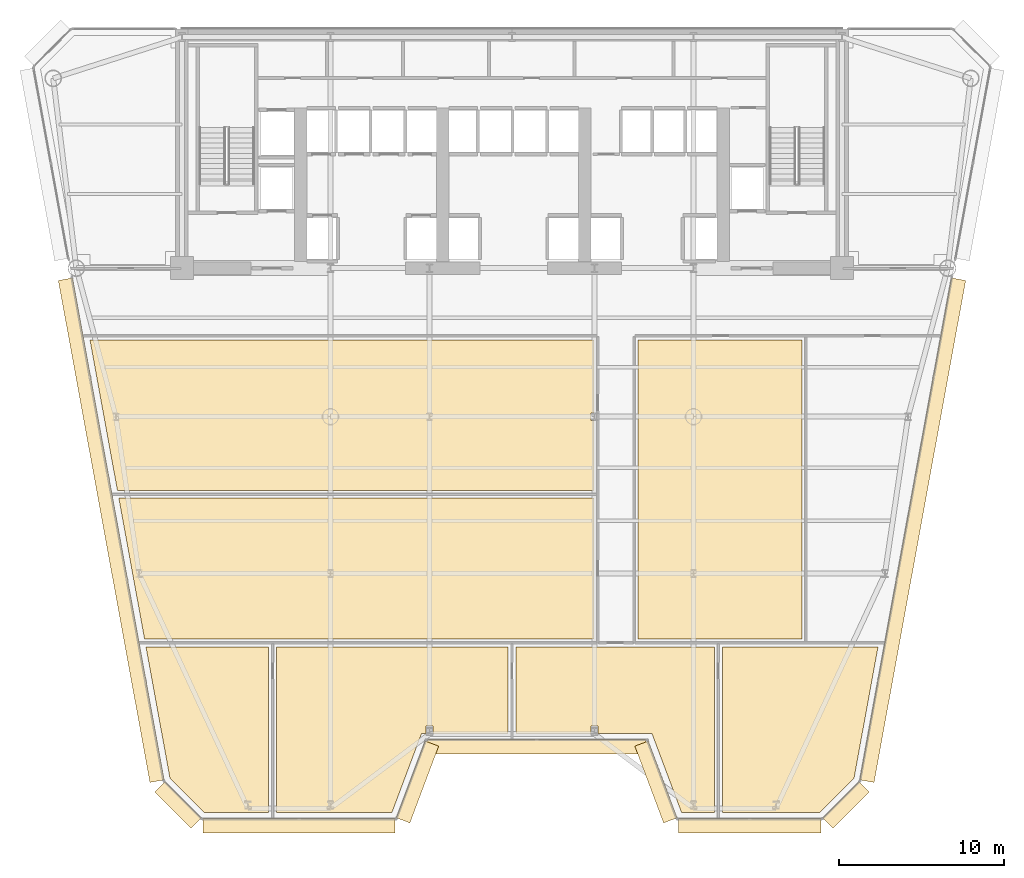
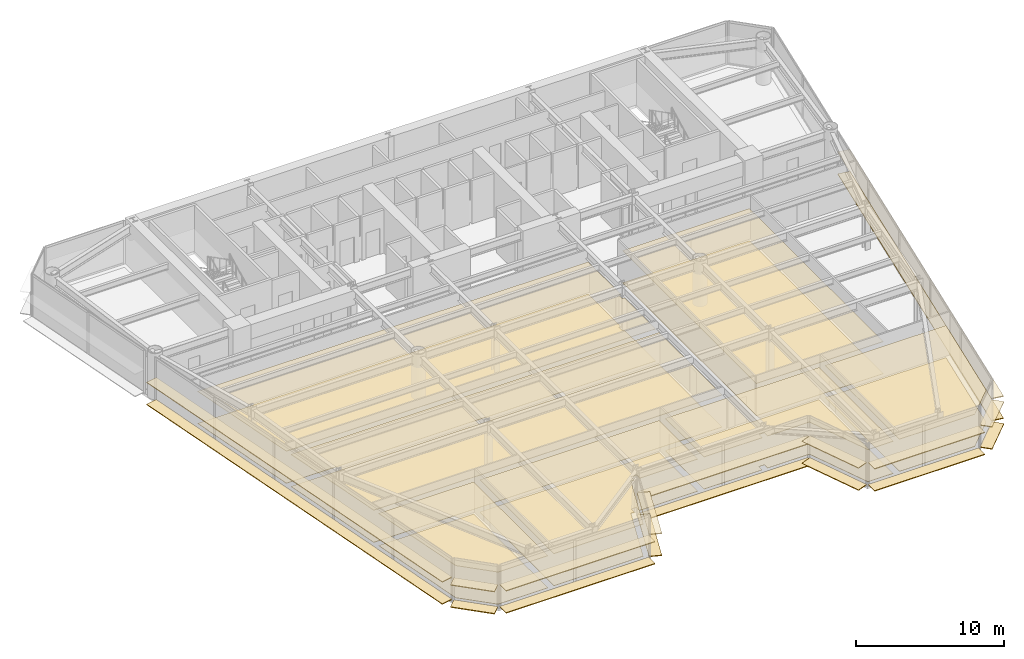
# One storey, part 12 of 15: 32 coverings.
"""IFC4 building model written with IfcOpenShell, lengths in metres."""

from ifc_helpers import new_model, si_unit, direction, frame, origin, origin_2d, place, context, subcontext, project, spatial, polyline, rectangle, outline, extrude, source, transform, mapped, material, layer, layer_set, type_object, element, save


model = new_model("IFC4")

# Units and contexts
model_context = context("Model", 3, precision=1e-05, world=origin(), true_north=direction((0.0, 1.0)))
body_context = subcontext(model_context, "Body", "Model", "MODEL_VIEW")
ifc_project = project(units=[si_unit("LENGTHUNIT", "METRE"), si_unit("AREAUNIT", "SQUARE_METRE"), si_unit("VOLUMEUNIT", "CUBIC_METRE"), si_unit("PLANEANGLEUNIT", "RADIAN"), si_unit("MASSUNIT", "GRAM", prefix="KILO")], contexts=[model_context])

# Site, building, storey
site_placement = place(None, origin())
site = spatial("IfcSite", under=ifc_project, at=site_placement, CompositionType="ELEMENT")
building_placement = place(site_placement, origin())
building = spatial("IfcBuilding", under=site, at=building_placement, Name="Vaeldorn Concourse Tower", CompositionType="ELEMENT")
storey_placement = place(building_placement, frame((0.0, 0.0, 95.800048828125)))
storey = spatial("IfcBuildingStorey", under=building, at=storey_placement, Name="L24", CompositionType="ELEMENT", Elevation=95.800048828125)

# Coverings
ifc_material_1 = material(Name="Acoustic Mineral Fibre Board", Category="gypsum")
ifc_layer_1 = layer(ifc_material_1, 0.0400390625)
ifc_layer_set_1 = layer_set([ifc_layer_1], Name="Acoustic Mineral Fibre Board")
covering_type_1 = type_object("IfcCoveringType", Name="COV-CEIL-ACOUSTIC", PredefinedType="CEILING", material=ifc_layer_set_1)
covering_1_placement = place(storey_placement, frame((0.0, 0.0, 2.64990234375)))
element("IfcCovering", 1, at=covering_1_placement, inside=storey, type_object=covering_type_1, Name="Suspended Acoustic Ceiling L24-6", PredefinedType="CEILING", context=body_context, shape_type="SweptSolid", body=[
    extrude(outline(polyline([(19.260009765625, 13.56005859375), (19.260009765625, 3.508056640625), (15.367919921875, 3.508056640625), (13.273193359375, 5.6025390625), (11.82080078125, 13.56005859375), (19.260009765625, 13.56005859375)])), origin(), (0.0, 0.0, 1.0), 0.0400390625),
])
covering_2_placement = place(storey_placement, frame((0.0, 0.0, 2.64990234375)))
element("IfcCovering", 2, at=covering_2_placement, inside=storey, type_object=covering_type_1, Name="Suspended Acoustic Ceiling L24-7", PredefinedType="CEILING", context=body_context, shape_type="SweptSolid", body=[
    extrude(outline(polyline([(26.722900390625, 3.508056640625), (19.739990234375, 3.508056640625), (19.739990234375, 13.56005859375), (33.760009765625, 13.56005859375), (33.760009765625, 8.30810546875), (29.2119140625, 8.30810546875), (29.2119140625, 8.7451171875), (28.7880859375, 8.7451171875), (28.7880859375, 8.30810546875), (28.522705078125, 8.30810546875), (26.722900390625, 3.508056640625)])), origin(), (0.0, 0.0, 1.0), 0.0400390625),
])
covering_3_placement = place(storey_placement, frame((0.0, 0.0, 2.64990234375)))
element("IfcCovering", 3, at=covering_3_placement, inside=storey, type_object=covering_type_1, Name="Suspended Acoustic Ceiling L24-8", PredefinedType="CEILING", context=body_context, shape_type="SweptSolid", body=[
    extrude(outline(polyline([(34.239990234375, 13.56005859375), (46.260009765625, 13.56005859375), (46.260009765625, 3.508056640625), (44.277099609375, 3.508056640625), (42.477294921875, 8.30810546875), (39.2119140625, 8.30810546875), (39.2119140625, 8.7451171875), (38.7880859375, 8.7451171875), (38.7880859375, 8.30810546875), (34.239990234375, 8.30810546875), (34.239990234375, 13.56005859375)])), origin(), (0.0, 0.0, 1.0), 0.0400390625),
])
covering_4_placement = place(storey_placement, frame((0.0, 0.0, 2.64990234375)))
element("IfcCovering", 4, at=covering_4_placement, inside=storey, type_object=covering_type_1, Name="Suspended Acoustic Ceiling L24-9", PredefinedType="CEILING", context=body_context, shape_type="SweptSolid", body=[
    extrude(outline(polyline([(52.632080078125, 3.508056640625), (46.739990234375, 3.508056640625), (46.739990234375, 13.56005859375), (56.17919921875, 13.56005859375), (54.726806640625, 5.6025390625), (52.632080078125, 3.508056640625)])), origin(), (0.0, 0.0, 1.0), 0.0400390625),
])
covering_5_placement = place(storey_placement, frame((0.0, 0.0, 2.64990234375)))
element("IfcCovering", 5, at=covering_5_placement, inside=storey, type_object=covering_type_1, Name="Suspended Acoustic Ceiling L24-10", PredefinedType="CEILING", context=body_context, shape_type="SweptSolid", body=[
    extrude(outline(polyline([(38.9599609375, 22.56005859375), (38.9599609375, 14.0400390625), (11.733154296875, 14.0400390625), (10.177978515625, 22.56005859375), (38.9599609375, 22.56005859375)])), origin(), (0.0, 0.0, 1.0), 0.0400390625),
])
covering_6_placement = place(storey_placement, frame((0.0, 0.0, 2.64990234375)))
element("IfcCovering", 6, at=covering_6_placement, inside=storey, type_object=covering_type_1, Name="Suspended Acoustic Ceiling L24-11", PredefinedType="CEILING", context=body_context, shape_type="SweptSolid", body=[
    extrude(outline(polyline([(38.9599609375, 32.159912109375), (38.9599609375, 27.737060546875), (38.7880859375, 27.737060546875), (38.7880859375, 27.262939453125), (38.9599609375, 27.262939453125), (38.9599609375, 23.0400390625), (10.09033203125, 23.0400390625), (8.42578125, 32.159912109375), (38.9599609375, 32.159912109375)])), origin(), (0.0, 0.0, 1.0), 0.0400390625),
])
covering_7_placement = place(storey_placement, frame((0.0, 0.0, 2.64990234375)))
element("IfcCovering", 7, at=covering_7_placement, inside=storey, type_object=covering_type_1, Name="Suspended Acoustic Ceiling L24-12", PredefinedType="CEILING", context=body_context, shape_type="SweptSolid", body=[
    extrude(outline(polyline([(41.639892578125, 32.159912109375), (51.56005859375, 32.159912109375), (51.56005859375, 14.0400390625), (41.639892578125, 14.0400390625), (41.639892578125, 32.159912109375)])), origin(), (0.0, 0.0, 1.0), 0.0400390625),
])
ifc_material_2 = material(Name="Honed Limestone Terrazzo Flooring", Category="masonry")
ifc_layer_2 = layer(ifc_material_2, 0.0400390625)
ifc_layer_set_2 = layer_set([ifc_layer_2], Name="Honed Limestone Terrazzo Flooring")
covering_type_2 = type_object("IfcCoveringType", Name="COV-FLOOR-STONE", PredefinedType="FLOORING", material=ifc_layer_set_2)
covering_8_placement = place(storey_placement, origin())
element("IfcCovering", 8, at=covering_8_placement, inside=storey, type_object=covering_type_2, Name="Floor Finish Covering L24-6", PredefinedType="FLOORING", context=body_context, shape_type="SweptSolid", body=[
    extrude(outline(polyline([(19.260009765625, 13.56005859375), (19.260009765625, 3.508056640625), (15.367919921875, 3.508056640625), (13.273193359375, 5.6025390625), (11.82080078125, 13.56005859375), (19.260009765625, 13.56005859375)])), origin(), (0.0, 0.0, 1.0), 0.030029296875),
])
covering_9_placement = place(storey_placement, origin())
element("IfcCovering", 9, at=covering_9_placement, inside=storey, type_object=covering_type_2, Name="Floor Finish Covering L24-7", PredefinedType="FLOORING", context=body_context, shape_type="SweptSolid", body=[
    extrude(outline(polyline([(26.722900390625, 3.508056640625), (19.739990234375, 3.508056640625), (19.739990234375, 13.56005859375), (33.760009765625, 13.56005859375), (33.760009765625, 8.30810546875), (29.2119140625, 8.30810546875), (29.2119140625, 8.7451171875), (28.7880859375, 8.7451171875), (28.7880859375, 8.30810546875), (28.522705078125, 8.30810546875), (26.722900390625, 3.508056640625)])), origin(), (0.0, 0.0, 1.0), 0.030029296875),
])
covering_10_placement = place(storey_placement, origin())
element("IfcCovering", 10, at=covering_10_placement, inside=storey, type_object=covering_type_2, Name="Floor Finish Covering L24-8", PredefinedType="FLOORING", context=body_context, shape_type="SweptSolid", body=[
    extrude(outline(polyline([(34.239990234375, 13.56005859375), (46.260009765625, 13.56005859375), (46.260009765625, 3.508056640625), (44.277099609375, 3.508056640625), (42.477294921875, 8.30810546875), (39.2119140625, 8.30810546875), (39.2119140625, 8.7451171875), (38.7880859375, 8.7451171875), (38.7880859375, 8.30810546875), (34.239990234375, 8.30810546875), (34.239990234375, 13.56005859375)])), origin(), (0.0, 0.0, 1.0), 0.030029296875),
])
covering_11_placement = place(storey_placement, origin())
element("IfcCovering", 11, at=covering_11_placement, inside=storey, type_object=covering_type_2, Name="Floor Finish Covering L24-9", PredefinedType="FLOORING", context=body_context, shape_type="SweptSolid", body=[
    extrude(outline(polyline([(52.632080078125, 3.508056640625), (46.739990234375, 3.508056640625), (46.739990234375, 13.56005859375), (56.17919921875, 13.56005859375), (54.726806640625, 5.6025390625), (52.632080078125, 3.508056640625)])), origin(), (0.0, 0.0, 1.0), 0.030029296875),
])
covering_12_placement = place(storey_placement, origin())
element("IfcCovering", 12, at=covering_12_placement, inside=storey, type_object=covering_type_2, Name="Floor Finish Covering L24-10", PredefinedType="FLOORING", context=body_context, shape_type="SweptSolid", body=[
    extrude(outline(polyline([(38.9599609375, 22.56005859375), (38.9599609375, 14.0400390625), (11.733154296875, 14.0400390625), (10.177978515625, 22.56005859375), (38.9599609375, 22.56005859375)])), origin(), (0.0, 0.0, 1.0), 0.030029296875),
])
covering_13_placement = place(storey_placement, origin())
element("IfcCovering", 13, at=covering_13_placement, inside=storey, type_object=covering_type_2, Name="Floor Finish Covering L24-11", PredefinedType="FLOORING", context=body_context, shape_type="SweptSolid", body=[
    extrude(outline(polyline([(38.9599609375, 32.159912109375), (38.9599609375, 27.737060546875), (38.7880859375, 27.737060546875), (38.7880859375, 27.262939453125), (38.9599609375, 27.262939453125), (38.9599609375, 23.0400390625), (10.09033203125, 23.0400390625), (8.42578125, 32.159912109375), (38.9599609375, 32.159912109375)])), origin(), (0.0, 0.0, 1.0), 0.030029296875),
])
covering_14_placement = place(storey_placement, origin())
element("IfcCovering", 14, at=covering_14_placement, inside=storey, type_object=covering_type_2, Name="Floor Finish Covering L24-12", PredefinedType="FLOORING", context=body_context, shape_type="SweptSolid", body=[
    extrude(outline(polyline([(41.639892578125, 32.159912109375), (51.56005859375, 32.159912109375), (51.56005859375, 14.0400390625), (41.639892578125, 14.0400390625), (41.639892578125, 32.159912109375)])), origin(), (0.0, 0.0, 1.0), 0.030029296875),
])
ifc_material_3 = material(Name="Anodised Bronze Aluminium", Category="aluminium")
ifc_layer_3 = layer(ifc_material_3, 0.06494140625)
ifc_layer_set_3 = layer_set([ifc_layer_3], Name="Anodised Bronze Aluminium")
covering_type_3 = type_object("IfcCoveringType", Name="SD-BRONZE-SUNSHADE", PredefinedType="USERDEFINED", material=ifc_layer_set_3)
shared_shape_1 = source(origin(), body_context, "Body", "SweptSolid", [
    extrude(rectangle(XDim=4.96630859375, YDim=0.8798828125, at=origin_2d()), origin(), (0.0, 0.0, 1.0), 0.06494140625),
])
for number, where, z_axis, x_axis, name in (
    (15, (28.2744140625, 5.36767578125, 0.04736328125), (0.0, 0.0, 1.0), (0.351122702609, 0.936329454686, 0.0), "Horizontal Bronze Sunshade L24-E02.1.1"),
    (16, (28.2744140625, 5.36767578125, 1.867431640625), (0.0, 0.0, 1.0), (0.351122702609, 0.936329454686, 0.0), "Horizontal Bronze Sunshade L24-E02.1.2"),
    (17, (42.7255859375, 5.36767578125, 0.04736328125), (0.0, 0.0, 1.0), (0.351122702609, -0.936329454686, 0.0), "Horizontal Bronze Sunshade L24-E04.1.1"),
    (18, (42.7255859375, 5.36767578125, 1.867431640625), (0.0, 0.0, 1.0), (0.351122702609, -0.936329454686, 0.0), "Horizontal Bronze Sunshade L24-E04.1.2"),
):
    element("IfcCovering", number, at=place(storey_placement, frame(where, z_axis=z_axis, x_axis=x_axis)), inside=storey, type_object=covering_type_3, Name=name, ObjectType="SUNSHADE", PredefinedType="USERDEFINED", context=body_context, shape_type="MappedRepresentation", body=[
        mapped(shared_shape_1, transform((0.0, 0.0, 0.0), scale=1.0)),
    ])
shared_shape_2 = source(origin(), body_context, "Body", "SweptSolid", [
    extrude(rectangle(XDim=13.239990234375, YDim=0.8798828125, at=origin_2d()), origin(), (0.0, 0.0, 1.0), 0.06494140625),
])
for number, where, z_axis, x_axis, name in (
    (19, (35.5, 7.508056640625, 0.04736328125), (0.0, 0.0, 1.0), (1.0, 0.0, 0.0), "Horizontal Bronze Sunshade L24-E03.1.1"),
    (20, (35.5, 7.508056640625, 1.867431640625), (0.0, 0.0, 1.0), (1.0, 0.0, 0.0), "Horizontal Bronze Sunshade L24-E03.1.2"),
):
    element("IfcCovering", number, at=place(storey_placement, frame(where, z_axis=z_axis, x_axis=x_axis)), inside=storey, type_object=covering_type_3, Name=name, ObjectType="SUNSHADE", PredefinedType="USERDEFINED", context=body_context, shape_type="MappedRepresentation", body=[
        mapped(shared_shape_2, transform((0.0, 0.0, 0.0), scale=1.0)),
    ])
shared_shape_3 = source(origin(), body_context, "Body", "SweptSolid", [
    extrude(rectangle(XDim=3.0927734375, YDim=0.8798828125, at=origin_2d()), origin(), (0.0, 0.0, 1.0), 0.06494140625),
])
for number, where, z_axis, x_axis, name in (
    (21, (54.230712890625, 3.97509765625, 0.04736328125), (0.0, 0.0, 1.0), (0.707106781187, 0.707106781187, 0.0), "Horizontal Bronze Sunshade L24-E06.1.1"),
    (22, (54.230712890625, 3.97509765625, 1.867431640625), (0.0, 0.0, 1.0), (0.707106781187, 0.707106781187, 0.0), "Horizontal Bronze Sunshade L24-E06.1.2"),
    (23, (13.769287109375, 3.97509765625, 0.04736328125), (0.0, 0.0, 1.0), (0.707106781187, -0.707106781187, 0.0), "Horizontal Bronze Sunshade L24-E12.1.1"),
    (24, (13.769287109375, 3.97509765625, 1.867431640625), (0.0, 0.0, 1.0), (0.707106781187, -0.707106781187, 0.0), "Horizontal Bronze Sunshade L24-E12.1.2"),
):
    element("IfcCovering", number, at=place(storey_placement, frame(where, z_axis=z_axis, x_axis=x_axis)), inside=storey, type_object=covering_type_3, Name=name, ObjectType="SUNSHADE", PredefinedType="USERDEFINED", context=body_context, shape_type="MappedRepresentation", body=[
        mapped(shared_shape_3, transform((0.0, 0.0, 0.0), scale=1.0)),
    ])
shared_shape_4 = source(origin(), body_context, "Body", "SweptSolid", [
    extrude(rectangle(XDim=11.6376953125, YDim=0.8798828125, at=origin_2d()), origin(), (0.0, 0.0, 1.0), 0.06494140625),
])
for number, where, z_axis, x_axis, name in (
    (25, (21.10107421875, 2.7080078125, 0.04736328125), (0.0, 0.0, 1.0), (1.0, 0.0, 0.0), "Horizontal Bronze Sunshade L24-E01.1.1"),
    (26, (21.10107421875, 2.7080078125, 1.867431640625), (0.0, 0.0, 1.0), (1.0, 0.0, 0.0), "Horizontal Bronze Sunshade L24-E01.1.2"),
):
    element("IfcCovering", number, at=place(storey_placement, frame(where, z_axis=z_axis, x_axis=x_axis)), inside=storey, type_object=covering_type_3, Name=name, ObjectType="SUNSHADE", PredefinedType="USERDEFINED", context=body_context, shape_type="MappedRepresentation", body=[
        mapped(shared_shape_4, transform((0.0, 0.0, 0.0), scale=1.0)),
    ])
shared_shape_5 = source(origin(), body_context, "Body", "SweptSolid", [
    extrude(rectangle(XDim=8.6376953125, YDim=0.8798828125, at=origin_2d()), origin(), (0.0, 0.0, 1.0), 0.06494140625),
])
for number, where, z_axis, x_axis, name in (
    (27, (48.39892578125, 2.7080078125, 0.04736328125), (0.0, 0.0, 1.0), (1.0, 0.0, 0.0), "Horizontal Bronze Sunshade L24-E05.1.1"),
    (28, (48.39892578125, 2.7080078125, 1.867431640625), (0.0, 0.0, 1.0), (1.0, 0.0, 0.0), "Horizontal Bronze Sunshade L24-E05.1.2"),
):
    element("IfcCovering", number, at=place(storey_placement, frame(where, z_axis=z_axis, x_axis=x_axis)), inside=storey, type_object=covering_type_3, Name=name, ObjectType="SUNSHADE", PredefinedType="USERDEFINED", context=body_context, shape_type="MappedRepresentation", body=[
        mapped(shared_shape_5, transform((0.0, 0.0, 0.0), scale=1.0)),
    ])
shared_shape_6 = source(origin(), body_context, "Body", "SweptSolid", [
    extrude(rectangle(XDim=30.919189453125, YDim=0.8798828125, at=origin_2d()), origin(), (0.0, 0.0, 1.0), 0.06494140625),
])
for number, where, z_axis, x_axis, name in (
    (29, (58.28173828125, 20.623291015625, 0.04736328125), (0.0, 0.0, 1.0), (0.179574901392, 0.983744303562, 0.0), "Horizontal Bronze Sunshade L24-E07.1.1"),
    (30, (58.28173828125, 20.623291015625, 1.867431640625), (0.0, 0.0, 1.0), (0.179574901392, 0.983744303562, 0.0), "Horizontal Bronze Sunshade L24-E07.1.2"),
    (31, (9.71826171875, 20.623291015625, 0.04736328125), (0.0, 0.0, 1.0), (0.179574901392, -0.983744303562, 0.0), "Horizontal Bronze Sunshade L24-E11.2.1"),
    (32, (9.71826171875, 20.623291015625, 1.867431640625), (0.0, 0.0, 1.0), (0.179574901392, -0.983744303562, 0.0), "Horizontal Bronze Sunshade L24-E11.2.2"),
):
    element("IfcCovering", number, at=place(storey_placement, frame(where, z_axis=z_axis, x_axis=x_axis)), inside=storey, type_object=covering_type_3, Name=name, ObjectType="SUNSHADE", PredefinedType="USERDEFINED", context=body_context, shape_type="MappedRepresentation", body=[
        mapped(shared_shape_6, transform((0.0, 0.0, 0.0), scale=1.0)),
    ])

save(model, "model.ifc")
